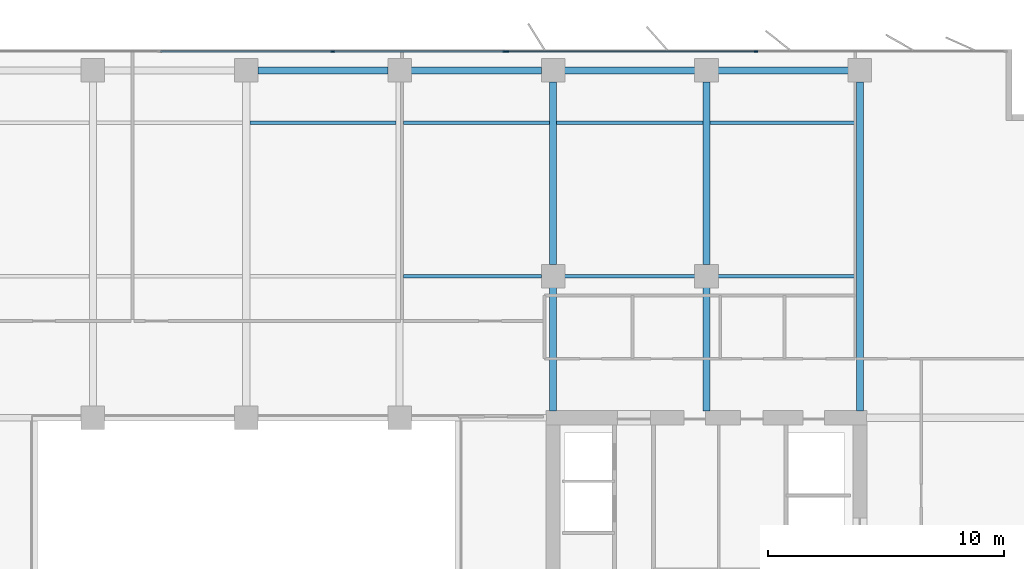
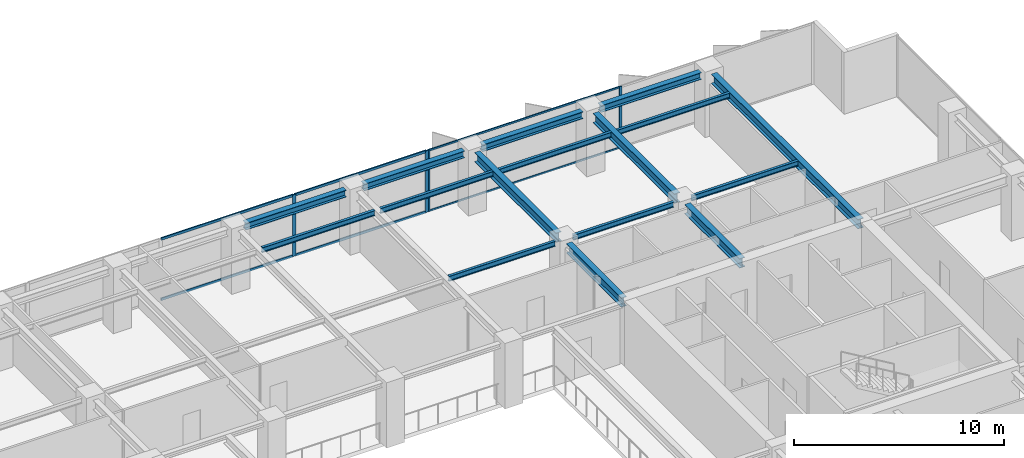
# One storey, part 10 of 22: 16 beams, 10 members, 2 elements without a shape of their own.
"""IFC4 building model written with IfcOpenShell, lengths in metres."""

from ifc_helpers import new_model, si_unit, direction, frame, origin, origin_2d, place, context, subcontext, project, spatial, rectangle, i_section, extrude, material, layer, layer_set, material_profile, profile_set, type_object, element, aggregate, save


model = new_model("IFC4")

# Units and contexts
model_context = context("Model", 3, precision=1e-05, world=origin(), true_north=direction((0.0, 1.0)))
body_context = subcontext(model_context, "Body", "Model", "MODEL_VIEW")
ifc_project = project(units=[si_unit("LENGTHUNIT", "METRE"), si_unit("AREAUNIT", "SQUARE_METRE"), si_unit("VOLUMEUNIT", "CUBIC_METRE"), si_unit("PLANEANGLEUNIT", "RADIAN"), si_unit("MASSUNIT", "GRAM", prefix="KILO")], contexts=[model_context])

# Site, building, storey
site_placement = place(None, origin())
site = spatial("IfcSite", under=ifc_project, at=site_placement, CompositionType="ELEMENT")
building_placement = place(site_placement, origin())
building = spatial("IfcBuilding", under=site, at=building_placement, Name="Putna Gate Headquarters", CompositionType="ELEMENT")
storey_placement = place(building_placement, frame((0.0, 0.0, 163.199951171875)))
storey = spatial("IfcBuildingStorey", under=building, at=storey_placement, Name="L40", CompositionType="ELEMENT", Elevation=163.199951171875)

# Beams
ifc_material_1 = material(Name="Steel S355J2", Category="steel")
ifc_material_profile_1 = material_profile(ifc_material_1, i_section(OverallWidth=0.300048828125, OverallDepth=0.550048828125, WebThickness=0.014892578125, FlangeThickness=0.029052734375, at=origin_2d()), Name="Steel S355J2")
ifc_profile_set_1 = profile_set([ifc_material_profile_1], Name="Steel S355J2")
beam_type_1 = type_object("IfcBeamType", Name="BM-GIRD-Z3-HEB550", PredefinedType="USERDEFINED", material=ifc_profile_set_1)
beam_1_placement = place(storey_placement, frame((52.0, 33.284912109375, 3.297119140625), z_axis=(0.0, 1.0, 0.0), x_axis=(-1.0, 0.0, 0.0)))
element("IfcBeam", 1, at=beam_1_placement, inside=storey, type_object=beam_type_1, Name="L40 North Primary Girder X52-1", ObjectType="GIRDER", PredefinedType="USERDEFINED", context=body_context, shape_type="SweptSolid", body=[
    extrude(i_section(OverallWidth=0.300048828125, OverallDepth=0.550048828125, WebThickness=0.014892578125, FlangeThickness=0.029052734375, at=origin_2d()), origin(), (0.0, 0.0, 1.0), 5.22705078125),
])
beam_2_placement = place(storey_placement, frame((52.0, 39.488037109375, 3.297119140625), z_axis=(0.0, 1.0, 0.0), x_axis=(-1.0, 0.0, 0.0)))
element("IfcBeam", 2, at=beam_2_placement, inside=storey, type_object=beam_type_1, Name="L40 North Primary Girder X52-2", ObjectType="GIRDER", PredefinedType="USERDEFINED", context=body_context, shape_type="SweptSolid", body=[
    extrude(i_section(OverallWidth=0.300048828125, OverallDepth=0.550048828125, WebThickness=0.014892578125, FlangeThickness=0.029052734375, at=origin_2d()), origin(), (0.0, 0.0, 1.0), 7.743896484375),
])
beam_3_placement = place(storey_placement, frame((58.5, 33.284912109375, 3.297119140625), z_axis=(0.0, 1.0, 0.0), x_axis=(-1.0, 0.0, 0.0)))
element("IfcBeam", 3, at=beam_3_placement, inside=storey, type_object=beam_type_1, Name="L40 North Primary Girder X58-1", ObjectType="GIRDER", PredefinedType="USERDEFINED", context=body_context, shape_type="SweptSolid", body=[
    extrude(i_section(OverallWidth=0.300048828125, OverallDepth=0.550048828125, WebThickness=0.014892578125, FlangeThickness=0.029052734375, at=origin_2d()), origin(), (0.0, 0.0, 1.0), 5.22705078125),
])
beam_4_placement = place(storey_placement, frame((58.5, 39.488037109375, 3.297119140625), z_axis=(0.0, 1.0, 0.0), x_axis=(-1.0, 0.0, 0.0)))
element("IfcBeam", 4, at=beam_4_placement, inside=storey, type_object=beam_type_1, Name="L40 North Primary Girder X58-2", ObjectType="GIRDER", PredefinedType="USERDEFINED", context=body_context, shape_type="SweptSolid", body=[
    extrude(i_section(OverallWidth=0.300048828125, OverallDepth=0.550048828125, WebThickness=0.014892578125, FlangeThickness=0.029052734375, at=origin_2d()), origin(), (0.0, 0.0, 1.0), 7.743896484375),
])
beam_5_placement = place(storey_placement, frame((65.0, 33.284912109375, 3.297119140625), z_axis=(0.0, 1.0, 0.0), x_axis=(-1.0, 0.0, 0.0)))
element("IfcBeam", 5, at=beam_5_placement, inside=storey, type_object=beam_type_1, Name="L40 North Primary Girder X65", ObjectType="GIRDER", PredefinedType="USERDEFINED", context=body_context, shape_type="SweptSolid", body=[
    extrude(i_section(OverallWidth=0.300048828125, OverallDepth=0.550048828125, WebThickness=0.014892578125, FlangeThickness=0.029052734375, at=origin_2d()), origin(), (0.0, 0.0, 1.0), 13.947021484375),
])
ifc_material_profile_2 = material_profile(ifc_material_1, i_section(OverallWidth=0.14990234375, OverallDepth=0.300048828125, WebThickness=0.007080078125, FlangeThickness=0.0107421875, at=origin_2d()), Name="Steel S355J2")
ifc_profile_set_2 = profile_set([ifc_material_profile_2], Name="Steel S355J2")
beam_type_2 = type_object("IfcBeamType", Name="BM-SEC-Z3-IPE300", PredefinedType="JOIST", material=ifc_profile_set_2)
beam_6_placement = place(storey_placement, frame((39.154052734375, 45.5, 3.422119140625), z_axis=(1.0, 0.0, 0.0), x_axis=(0.0, 1.0, 0.0)))
element("IfcBeam", 6, at=beam_6_placement, inside=storey, type_object=beam_type_2, Name="L40 North Secondary Beam 5", PredefinedType="JOIST", context=body_context, shape_type="SweptSolid", body=[
    extrude(i_section(OverallWidth=0.14990234375, OverallDepth=0.300048828125, WebThickness=0.007080078125, FlangeThickness=0.0107421875, at=origin_2d()), origin(), (0.0, 0.0, 1.0), 6.19189453125),
])
beam_7_placement = place(storey_placement, frame((45.654052734375, 39.0, 3.422119140625), z_axis=(1.0, 0.0, 0.0), x_axis=(0.0, 1.0, 0.0)))
element("IfcBeam", 7, at=beam_7_placement, inside=storey, type_object=beam_type_2, Name="L40 North Secondary Beam 6", PredefinedType="JOIST", context=body_context, shape_type="SweptSolid", body=[
    extrude(i_section(OverallWidth=0.14990234375, OverallDepth=0.300048828125, WebThickness=0.007080078125, FlangeThickness=0.0107421875, at=origin_2d()), origin(), (0.0, 0.0, 1.0), 5.85791015625),
])
beam_8_placement = place(storey_placement, frame((45.654052734375, 45.5, 3.422119140625), z_axis=(1.0, 0.0, 0.0), x_axis=(0.0, 1.0, 0.0)))
element("IfcBeam", 8, at=beam_8_placement, inside=storey, type_object=beam_type_2, Name="L40 North Secondary Beam 6", PredefinedType="JOIST", context=body_context, shape_type="SweptSolid", body=[
    extrude(i_section(OverallWidth=0.14990234375, OverallDepth=0.300048828125, WebThickness=0.007080078125, FlangeThickness=0.0107421875, at=origin_2d()), origin(), (0.0, 0.0, 1.0), 6.19189453125),
])
beam_9_placement = place(storey_placement, frame((52.488037109375, 39.0, 3.422119140625), z_axis=(1.0, 0.0, 0.0), x_axis=(0.0, 1.0, 0.0)))
element("IfcBeam", 9, at=beam_9_placement, inside=storey, type_object=beam_type_2, Name="L40 North Secondary Beam 7", PredefinedType="JOIST", context=body_context, shape_type="SweptSolid", body=[
    extrude(i_section(OverallWidth=0.14990234375, OverallDepth=0.300048828125, WebThickness=0.007080078125, FlangeThickness=0.0107421875, at=origin_2d()), origin(), (0.0, 0.0, 1.0), 5.52392578125),
])
beam_10_placement = place(storey_placement, frame((52.154052734375, 45.5, 3.422119140625), z_axis=(1.0, 0.0, 0.0), x_axis=(0.0, 1.0, 0.0)))
element("IfcBeam", 10, at=beam_10_placement, inside=storey, type_object=beam_type_2, Name="L40 North Secondary Beam 7", PredefinedType="JOIST", context=body_context, shape_type="SweptSolid", body=[
    extrude(i_section(OverallWidth=0.14990234375, OverallDepth=0.300048828125, WebThickness=0.007080078125, FlangeThickness=0.0107421875, at=origin_2d()), origin(), (0.0, 0.0, 1.0), 6.19189453125),
])
beam_11_placement = place(storey_placement, frame((58.988037109375, 39.0, 3.422119140625), z_axis=(1.0, 0.0, 0.0), x_axis=(0.0, 1.0, 0.0)))
element("IfcBeam", 11, at=beam_11_placement, inside=storey, type_object=beam_type_2, Name="L40 North Secondary Beam 8", PredefinedType="JOIST", context=body_context, shape_type="SweptSolid", body=[
    extrude(i_section(OverallWidth=0.14990234375, OverallDepth=0.300048828125, WebThickness=0.007080078125, FlangeThickness=0.0107421875, at=origin_2d()), origin(), (0.0, 0.0, 1.0), 5.85791015625),
])
beam_12_placement = place(storey_placement, frame((58.654052734375, 45.5, 3.422119140625), z_axis=(1.0, 0.0, 0.0), x_axis=(0.0, 1.0, 0.0)))
element("IfcBeam", 12, at=beam_12_placement, inside=storey, type_object=beam_type_2, Name="L40 North Secondary Beam 8", PredefinedType="JOIST", context=body_context, shape_type="SweptSolid", body=[
    extrude(i_section(OverallWidth=0.14990234375, OverallDepth=0.300048828125, WebThickness=0.007080078125, FlangeThickness=0.0107421875, at=origin_2d()), origin(), (0.0, 0.0, 1.0), 6.19189453125),
])
ifc_material_profile_3 = material_profile(ifc_material_1, i_section(OverallWidth=0.300048828125, OverallDepth=0.39990234375, WebThickness=0.013427734375, FlangeThickness=0.02392578125, at=origin_2d()), Name="Steel S355J2")
ifc_profile_set_3 = profile_set([ifc_material_profile_3], Name="Steel S355J2")
beam_type_3 = type_object("IfcBeamType", Name="BM-SPAN-Z3-HEB400", PredefinedType="SPANDREL", material=ifc_profile_set_3)
for number, where, z_axis, x_axis, name in (
    (13, (39.488037109375, 47.719970703125, 3.3720703125), (1.0, 0.0, 0.0), (0.0, 1.0, 0.0), "L40 N Perimeter Spandrel 5"),
    (14, (45.988037109375, 47.719970703125, 3.3720703125), (1.0, 0.0, 0.0), (0.0, 1.0, 0.0), "L40 N Perimeter Spandrel 6"),
    (15, (52.488037109375, 47.719970703125, 3.3720703125), (1.0, 0.0, 0.0), (0.0, 1.0, 0.0), "L40 N Perimeter Spandrel 7"),
    (16, (58.988037109375, 47.719970703125, 3.3720703125), (1.0, 0.0, 0.0), (0.0, 1.0, 0.0), "L40 N Perimeter Spandrel 8"),
):
    element("IfcBeam", number, at=place(storey_placement, frame(where, z_axis=z_axis, x_axis=x_axis)), inside=storey, type_object=beam_type_3, Name=name, PredefinedType="SPANDREL", context=body_context, shape_type="SweptSolid", body=[
        extrude(i_section(OverallWidth=0.300048828125, OverallDepth=0.39990234375, WebThickness=0.013427734375, FlangeThickness=0.02392578125, at=origin_2d()), origin(), (0.0, 0.0, 1.0), 5.52392578125),
    ])

# Curtain wall, members
ifc_material_2 = material(Name="Anodised bronze aluminium curtain wall", Category="aluminium")
ifc_layer_1 = layer(ifc_material_2, 0.159912109375)
ifc_layer_set_1 = layer_set([ifc_layer_1], Name="Anodised bronze aluminium curtain wall")
curtain_wall_type_1 = type_object("IfcCurtainWallType", Name="CW-SYS-Z3", PredefinedType="USERDEFINED", material=ifc_layer_set_1)
curtain_wall_1_placement = place(storey_placement, origin())
curtain_wall_1 = element("IfcCurtainWall", 17, at=curtain_wall_1_placement, inside=storey, type_object=curtain_wall_type_1, Name="L40 North East Curtain Wall", ObjectType="STICK CURTAIN WALL", PredefinedType="USERDEFINED")
ifc_material_3 = material(Name="Anodised bronze aluminium EN AW-6060", Category="aluminium")
ifc_material_profile_4 = material_profile(ifc_material_3, rectangle(XDim=0.06494140625, YDim=0.159912109375, at=origin_2d()), Name="Anodised bronze aluminium EN AW-6060")
ifc_profile_set_4 = profile_set([ifc_material_profile_4], Name="Anodised bronze aluminium EN AW-6060")
member_type_1 = type_object("IfcMemberType", Name="MULL-CWM-3", PredefinedType="MULLION", material=ifc_profile_set_4)
member_1_placement = place(storey_placement, frame((50.032470703125, 48.52001953125, 0.0), z_axis=(0.0, 0.0, 1.0), x_axis=(0.0, 1.0, 0.0)))
member_1 = element("IfcMember", 18, at=member_1_placement, type_object=member_type_1, Name="CWS-3 mullion 1", PredefinedType="MULLION", context=body_context, shape_type="SweptSolid", body=[
    extrude(rectangle(XDim=0.06494140625, YDim=0.159912109375, at=origin_2d()), origin(), (0.0, 0.0, 1.0), 3.572021484375),
])
member_2_placement = place(storey_placement, frame((60.60009765625, 48.52001953125, 0.0), z_axis=(0.0, 0.0, 1.0), x_axis=(0.0, 1.0, 0.0)))
member_2 = element("IfcMember", 19, at=member_2_placement, type_object=member_type_1, Name="CWS-3 mullion 2", PredefinedType="MULLION", context=body_context, shape_type="SweptSolid", body=[
    extrude(rectangle(XDim=0.06494140625, YDim=0.159912109375, at=origin_2d()), origin(), (0.0, 0.0, 1.0), 3.572021484375),
])

ifc_layer_2 = layer(ifc_material_2, 0.179931640625)
ifc_layer_set_2 = layer_set([ifc_layer_2], Name="Anodised bronze aluminium curtain wall")
curtain_wall_type_2 = type_object("IfcCurtainWallType", Name="CW-SYS-ATR", PredefinedType="USERDEFINED", material=ifc_layer_set_2)
curtain_wall_2_placement = place(storey_placement, origin())
curtain_wall_2 = element("IfcCurtainWall", 20, at=curtain_wall_2_placement, inside=storey, type_object=curtain_wall_type_2, Name="L40 North Atrium Clear Glazing", ObjectType="ATRIUM GLAZING", PredefinedType="USERDEFINED")
ifc_material_profile_5 = material_profile(ifc_material_3, rectangle(XDim=0.070068359375, YDim=0.179931640625, at=origin_2d()), Name="Anodised bronze aluminium EN AW-6060")
ifc_profile_set_5 = profile_set([ifc_material_profile_5], Name="Anodised bronze aluminium EN AW-6060")
member_type_2 = type_object("IfcMemberType", Name="MULL-CWM-AT", PredefinedType="MULLION", material=ifc_profile_set_5)
member_3_placement = place(storey_placement, frame((42.666748046875, 48.52001953125, 0.0), z_axis=(0.0, 0.0, 1.0), x_axis=(0.0, 1.0, 0.0)))
member_3 = element("IfcMember", 21, at=member_3_placement, type_object=member_type_2, Name="CWS-AT mullion 3", PredefinedType="MULLION", context=body_context, shape_type="SweptSolid", body=[
    extrude(rectangle(XDim=0.070068359375, YDim=0.179931640625, at=origin_2d()), origin(), (0.0, 0.0, 1.0), 3.572021484375),
])
member_4_placement = place(storey_placement, frame((49.965087890625, 48.52001953125, 0.0), z_axis=(0.0, 0.0, 1.0), x_axis=(0.0, 1.0, 0.0)))
member_4 = element("IfcMember", 22, at=member_4_placement, type_object=member_type_2, Name="CWS-AT mullion 4", PredefinedType="MULLION", context=body_context, shape_type="SweptSolid", body=[
    extrude(rectangle(XDim=0.070068359375, YDim=0.179931640625, at=origin_2d()), origin(), (0.0, 0.0, 1.0), 3.572021484375),
])

# Member
ifc_material_profile_6 = material_profile(ifc_material_3, rectangle(XDim=0.06005859375, YDim=0.10009765625, at=origin_2d()), Name="Anodised bronze aluminium EN AW-6060")
ifc_profile_set_6 = profile_set([ifc_material_profile_6], Name="Anodised bronze aluminium EN AW-6060")
member_type_3 = type_object("IfcMemberType", Name="TRAN-CWT-3", PredefinedType="USERDEFINED", material=ifc_profile_set_6)
member_5_placement = place(storey_placement, frame((50.06494140625, 48.52001953125, 0.030029296875), z_axis=(1.0, 0.0, 0.0), x_axis=(0.0, 1.0, 0.0)))
member_5 = element("IfcMember", 23, at=member_5_placement, type_object=member_type_3, Name="CWS-3 transom 1.1", ObjectType="TRANSOM", PredefinedType="USERDEFINED", context=body_context, shape_type="SweptSolid", body=[
    extrude(rectangle(XDim=0.06005859375, YDim=0.10009765625, at=origin_2d()), origin(), (0.0, 0.0, 1.0), 10.50244140625),
])

member_6_placement = place(storey_placement, frame((50.06494140625, 48.52001953125, 3.5419921875), z_axis=(1.0, 0.0, 0.0), x_axis=(0.0, 1.0, 0.0)))
member_6 = element("IfcMember", 24, at=member_6_placement, type_object=member_type_3, Name="CWS-3 transom 1.2", ObjectType="TRANSOM", PredefinedType="USERDEFINED", context=body_context, shape_type="SweptSolid", body=[
    extrude(rectangle(XDim=0.06005859375, YDim=0.10009765625, at=origin_2d()), origin(), (0.0, 0.0, 1.0), 10.50244140625),
])

aggregate(curtain_wall_1, [member_1, member_2, member_5, member_6])

ifc_material_profile_7 = material_profile(ifc_material_3, rectangle(XDim=0.070068359375, YDim=0.139892578125, at=origin_2d()), Name="Anodised bronze aluminium EN AW-6060")
ifc_profile_set_7 = profile_set([ifc_material_profile_7], Name="Anodised bronze aluminium EN AW-6060")
member_type_4 = type_object("IfcMemberType", Name="TRAN-CWT-AT", PredefinedType="USERDEFINED", material=ifc_profile_set_7)
member_7_placement = place(storey_placement, frame((35.368408203125, 48.52001953125, 0.03515625), z_axis=(1.0, 0.0, 0.0), x_axis=(0.0, 1.0, 0.0)))
member_7 = element("IfcMember", 25, at=member_7_placement, type_object=member_type_4, Name="CWS-AT transom 2.1", ObjectType="TRANSOM", PredefinedType="USERDEFINED", context=body_context, shape_type="SweptSolid", body=[
    extrude(rectangle(XDim=0.070068359375, YDim=0.139892578125, at=origin_2d()), origin(), (0.0, 0.0, 1.0), 7.26318359375),
])

member_8_placement = place(storey_placement, frame((35.368408203125, 48.52001953125, 3.537109375), z_axis=(1.0, 0.0, 0.0), x_axis=(0.0, 1.0, 0.0)))
member_8 = element("IfcMember", 26, at=member_8_placement, type_object=member_type_4, Name="CWS-AT transom 2.2", ObjectType="TRANSOM", PredefinedType="USERDEFINED", context=body_context, shape_type="SweptSolid", body=[
    extrude(rectangle(XDim=0.070068359375, YDim=0.139892578125, at=origin_2d()), origin(), (0.0, 0.0, 1.0), 7.26318359375),
])

member_9_placement = place(storey_placement, frame((42.70166015625, 48.52001953125, 0.03515625), z_axis=(1.0, 0.0, 0.0), x_axis=(0.0, 1.0, 0.0)))
member_9 = element("IfcMember", 27, at=member_9_placement, type_object=member_type_4, Name="CWS-AT transom 3.1", ObjectType="TRANSOM", PredefinedType="USERDEFINED", context=body_context, shape_type="SweptSolid", body=[
    extrude(rectangle(XDim=0.070068359375, YDim=0.139892578125, at=origin_2d()), origin(), (0.0, 0.0, 1.0), 7.228271484375),
])

member_10_placement = place(storey_placement, frame((42.70166015625, 48.52001953125, 3.537109375), z_axis=(1.0, 0.0, 0.0), x_axis=(0.0, 1.0, 0.0)))
member_10 = element("IfcMember", 28, at=member_10_placement, type_object=member_type_4, Name="CWS-AT transom 3.2", ObjectType="TRANSOM", PredefinedType="USERDEFINED", context=body_context, shape_type="SweptSolid", body=[
    extrude(rectangle(XDim=0.070068359375, YDim=0.139892578125, at=origin_2d()), origin(), (0.0, 0.0, 1.0), 7.228271484375),
])

aggregate(curtain_wall_2, [member_3, member_4, member_7, member_8, member_9, member_10])

save(model, "model.ifc")
